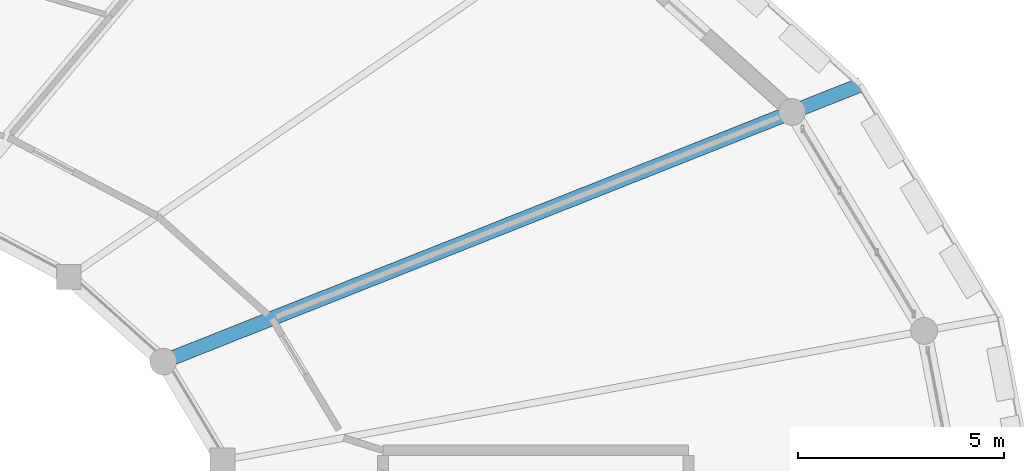
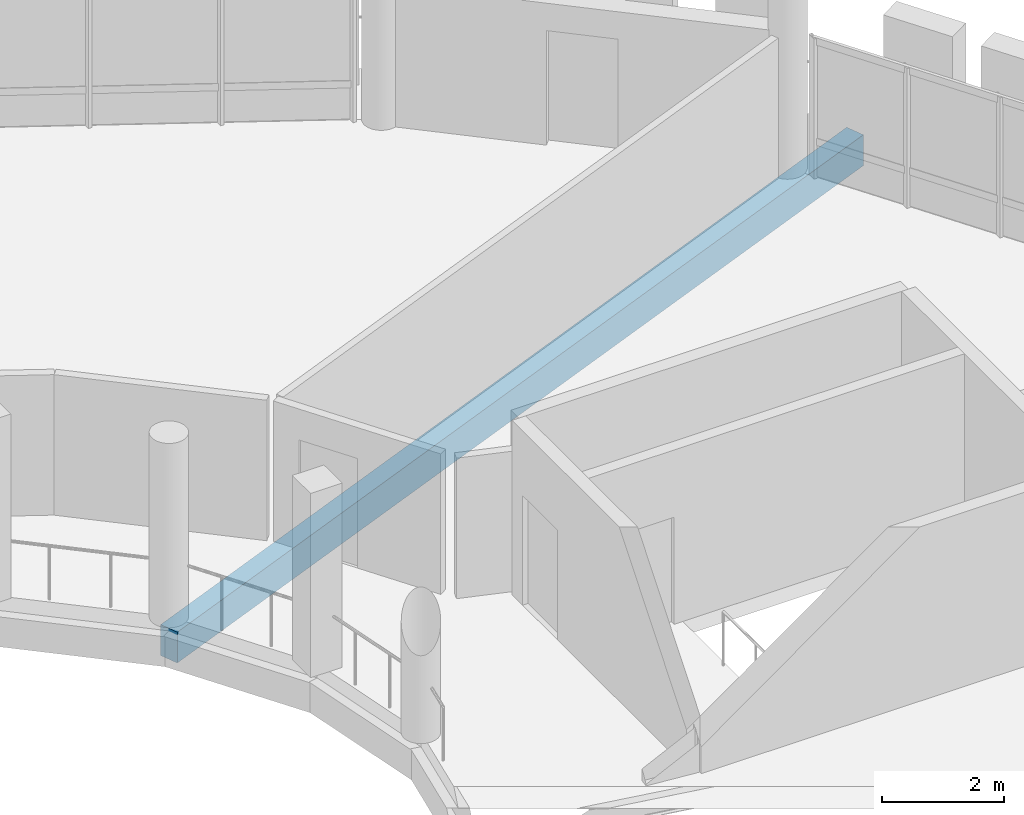
# One storey, part 51 of 84: 1 beam.
"""IFC4 building model written with IfcOpenShell, lengths in metres."""

from ifc_helpers import new_model, si_unit, direction, frame, origin, origin_2d, place, context, subcontext, project, spatial, rectangle, extrude, material, material_profile, profile_set, type_object, element, save


model = new_model("IFC4")

# Units and contexts
model_context = context("Model", 3, precision=1e-05, world=origin(), true_north=direction((0.0, 1.0)))
body_context = subcontext(model_context, "Body", "Model", "MODEL_VIEW")
ifc_project = project(units=[si_unit("LENGTHUNIT", "METRE"), si_unit("AREAUNIT", "SQUARE_METRE"), si_unit("VOLUMEUNIT", "CUBIC_METRE"), si_unit("PLANEANGLEUNIT", "RADIAN"), si_unit("MASSUNIT", "GRAM", prefix="KILO")], contexts=[model_context])

# Site, building, storey
site_placement = place(None, origin())
site = spatial("IfcSite", under=ifc_project, at=site_placement, CompositionType="ELEMENT")
building_placement = place(site_placement, origin())
building = spatial("IfcBuilding", under=site, at=building_placement, Name="Zornivar Specialist Clinic", CompositionType="ELEMENT")
storey_placement = place(building_placement, frame((0.0, 0.0, 12.300048828125)))
storey = spatial("IfcBuildingStorey", under=building, at=storey_placement, Name="L03", CompositionType="ELEMENT", Elevation=12.300048828125)

# Beam
ifc_material = material(Name="Concrete C30/37", Category="concrete")
ifc_material_profile = material_profile(ifc_material, rectangle(XDim=0.35009765625, YDim=0.6201171875, at=origin_2d()), Name="RC 350x620")
ifc_profile_set = profile_set([ifc_material_profile], Name="Concrete C30/37")
beam_type = type_object("IfcBeamType", Name="BM-RC-CANT-350x620", PredefinedType="BEAM", material=ifc_profile_set)
beam_placement = place(storey_placement, frame((106.071044921875, 62.550048828125, -0.550048828125), z_axis=(0.92946024729, 0.368922280036, 0.0), x_axis=(-0.368922280036, 0.92946024729, 0.0)))
element("IfcBeam", 1, at=beam_placement, inside=storey, type_object=beam_type, Name="bm:V1:L03:radcant:02", PredefinedType="BEAM", context=body_context, shape_type="SweptSolid", body=[
    extrude(rectangle(XDim=0.35009765625, YDim=0.6201171875, at=origin_2d()), origin(), (0.0, 0.0, 1.0), 18.18798828125),
])

save(model, "model.ifc")
